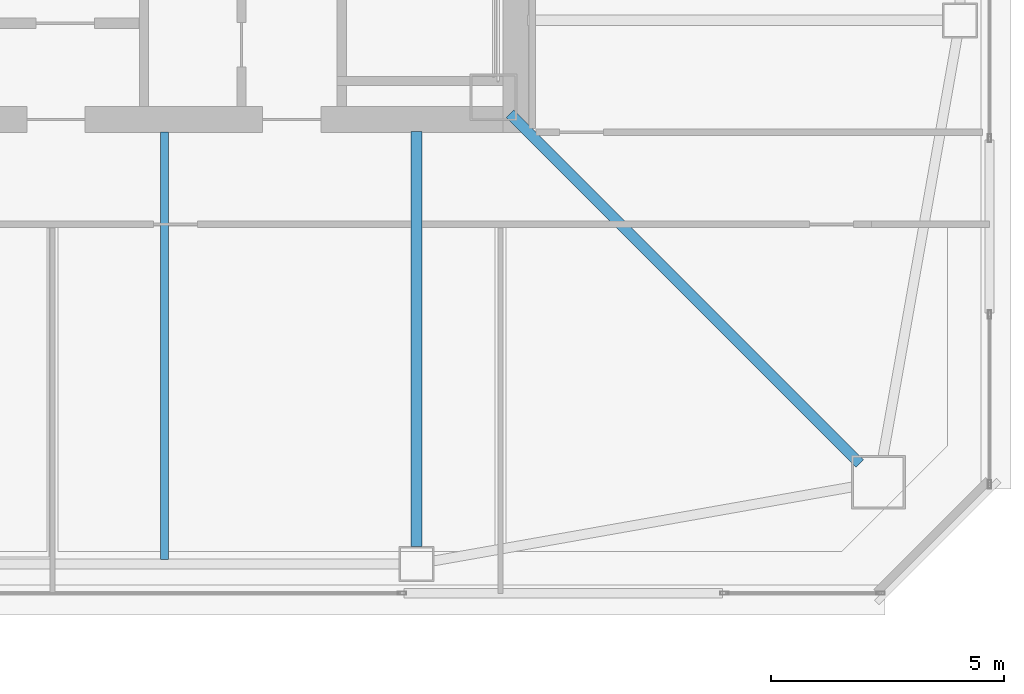
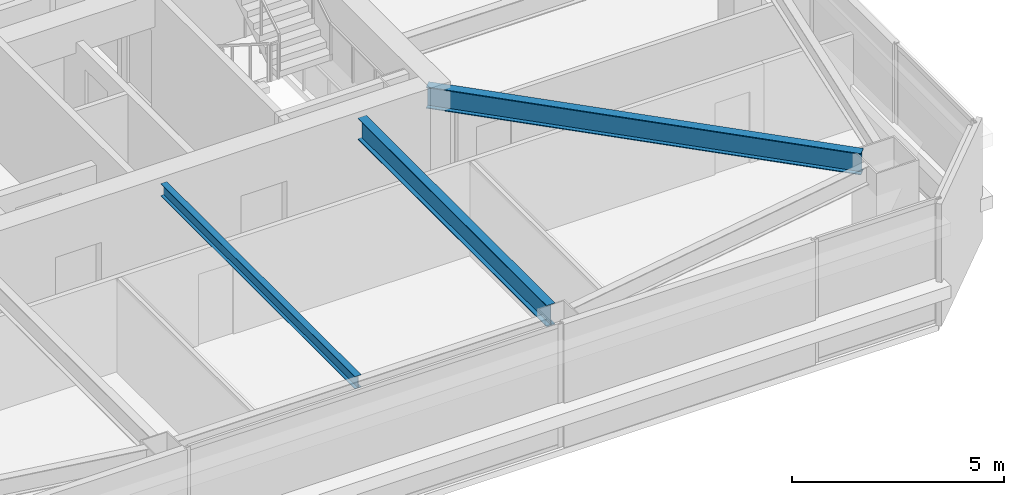
# One storey, part 6 of 41: 3 beams.
"""IFC4 building model written with IfcOpenShell, lengths in metres."""

from ifc_helpers import new_model, si_unit, direction, frame, origin, origin_2d, place, context, subcontext, project, spatial, i_section, extrude, material, material_profile, profile_set, type_object, element, save


model = new_model("IFC4")

# Units and contexts
model_context = context("Model", 3, precision=1e-05, world=origin(), true_north=direction((0.0, 1.0)))
body_context = subcontext(model_context, "Body", "Model", "MODEL_VIEW")
ifc_project = project(units=[si_unit("LENGTHUNIT", "METRE"), si_unit("AREAUNIT", "SQUARE_METRE"), si_unit("VOLUMEUNIT", "CUBIC_METRE"), si_unit("PLANEANGLEUNIT", "RADIAN"), si_unit("MASSUNIT", "GRAM", prefix="KILO")], contexts=[model_context])

# Site, building, storey
site_placement = place(None, origin())
site = spatial("IfcSite", under=ifc_project, at=site_placement, CompositionType="ELEMENT")
building_placement = place(site_placement, origin())
building = spatial("IfcBuilding", under=site, at=building_placement, Name="Tashvorn Skyway Center", CompositionType="ELEMENT")
storey_placement = place(building_placement, frame((0.0, 0.0, 171.199951171875)))
storey = spatial("IfcBuildingStorey", under=building, at=storey_placement, Name="L46", CompositionType="ELEMENT", Elevation=171.199951171875)

# Beams
ifc_material = material(Name="Steel ASTM A992 Grade 50", Category="steel")
ifc_material_profile_1 = material_profile(ifc_material, i_section(OverallWidth=0.22998046875, OverallDepth=0.616943359375, WebThickness=0.01318359375, FlangeThickness=0.022216796875, at=origin_2d()), Name="W24X94")
ifc_profile_set_1 = profile_set([ifc_material_profile_1], Name="Steel ASTM A992 Grade 50")
beam_type_1 = type_object("IfcBeamType", Name="BM-BEAM-W24X94", PredefinedType="BEAM", material=ifc_profile_set_1)
beam_1_placement = place(storey_placement, frame((56.89697265625, 17.10302734375, 3.0615234375), z_axis=(-0.707106781187, 0.707106781187, 0.0), x_axis=(-0.707106781187, -0.707106781187, 0.0)))
element("IfcBeam", 1, at=beam_1_placement, inside=storey, type_object=beam_type_1, Name="Tower 1 L46 Primary Floor Girder MC-SE", PredefinedType="BEAM", context=body_context, shape_type="SweptSolid", body=[
    extrude(i_section(OverallWidth=0.22998046875, OverallDepth=0.616943359375, WebThickness=0.01318359375, FlangeThickness=0.022216796875, at=origin_2d()), origin(), (0.0, 0.0, 1.0), 10.6025390625),
])
beam_2_placement = place(storey_placement, frame((47.39990234375, 15.320068359375, 3.0615234375), z_axis=(0.0, 1.0, 0.0), x_axis=(-1.0, 0.0, 0.0)))
element("IfcBeam", 2, at=beam_2_placement, inside=storey, type_object=beam_type_1, Name="Tower 1 L46 Primary Floor Girder FC-S2", PredefinedType="BEAM", context=body_context, shape_type="SweptSolid", body=[
    extrude(i_section(OverallWidth=0.22998046875, OverallDepth=0.616943359375, WebThickness=0.01318359375, FlangeThickness=0.022216796875, at=origin_2d()), origin(), (0.0, 0.0, 1.0), 8.89990234375),
])
ifc_material_profile_2 = material_profile(ifc_material, i_section(OverallWidth=0.1708984375, OverallDepth=0.35498046875, WebThickness=0.007080078125, FlangeThickness=0.01171875, at=origin_2d()), Name="W14X34")
ifc_profile_set_2 = profile_set([ifc_material_profile_2], Name="Steel ASTM A992 Grade 50")
beam_type_2 = type_object("IfcBeamType", Name="BM-JOIST-W14X34", PredefinedType="JOIST", material=ifc_profile_set_2)
beam_3_placement = place(storey_placement, frame((42.0, 24.2099609375, 3.192626953125), z_axis=(0.0, -1.0, 0.0), x_axis=(1.0, 0.0, 0.0)))
element("IfcBeam", 3, at=beam_3_placement, inside=storey, type_object=beam_type_2, Name="Tower 1 L46 Secondary Composite Joist JS", PredefinedType="JOIST", context=body_context, shape_type="SweptSolid", body=[
    extrude(i_section(OverallWidth=0.1708984375, OverallDepth=0.35498046875, WebThickness=0.007080078125, FlangeThickness=0.01171875, at=origin_2d()), origin(), (0.0, 0.0, 1.0), 9.162353515625),
])

save(model, "model.ifc")
